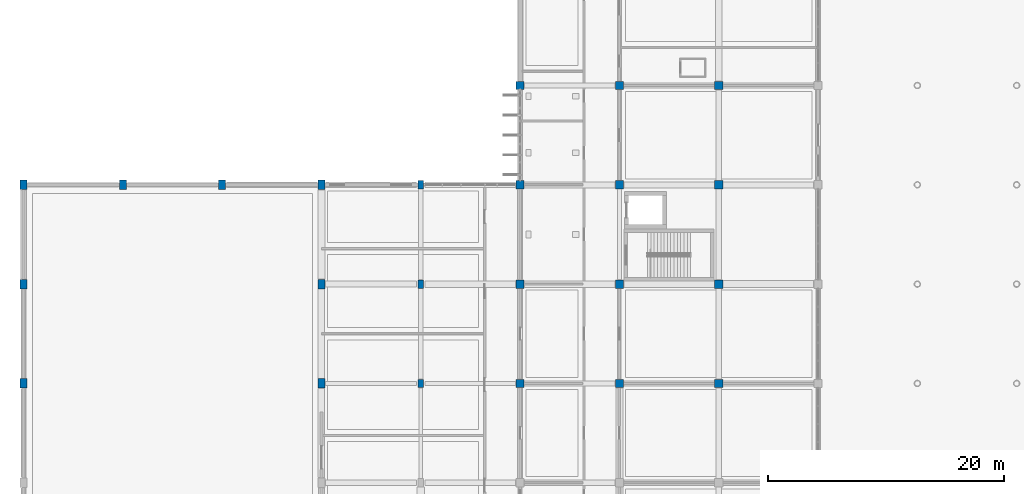
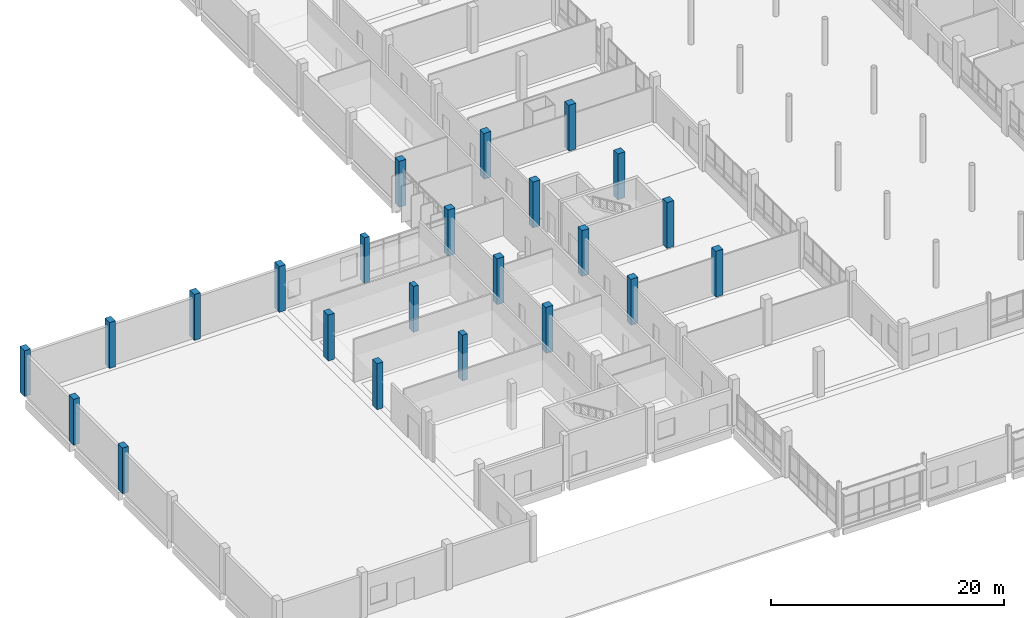
# One storey, part 3 of 95: 23 columns.
"""IFC4 building model written with IfcOpenShell, lengths in metres."""

from ifc_helpers import new_model, si_unit, direction, frame, origin, origin_2d, place, context, subcontext, project, spatial, rectangle, extrude, material, material_profile, profile_set, type_object, element, save


model = new_model("IFC4")

# Units and contexts
model_context = context("Model", 3, precision=1e-05, world=origin(), true_north=direction((0.0, 1.0)))
body_context = subcontext(model_context, "Body", "Model", "MODEL_VIEW")
ifc_project = project(units=[si_unit("LENGTHUNIT", "METRE"), si_unit("AREAUNIT", "SQUARE_METRE"), si_unit("VOLUMEUNIT", "CUBIC_METRE"), si_unit("PLANEANGLEUNIT", "RADIAN"), si_unit("MASSUNIT", "GRAM", prefix="KILO")], contexts=[model_context])

# Site, building, storey
site_placement = place(None, origin())
site = spatial("IfcSite", under=ifc_project, at=site_placement, CompositionType="ELEMENT")
building_placement = place(site_placement, origin())
building = spatial("IfcBuilding", under=site, at=building_placement, Name="Vireocrest Preparatory School", CompositionType="ELEMENT")
storey_placement = place(building_placement, origin())
storey = spatial("IfcBuildingStorey", under=building, at=storey_placement, Name="L00", CompositionType="ELEMENT", Elevation=0.0)

# Columns
ifc_material = material(Name="Concrete 45 MPa", Category="concrete")
ifc_material_profile_1 = material_profile(ifc_material, rectangle(XDim=0.699951171875, YDim=0.699951171875, at=origin_2d()), Name="RC 700x700")
ifc_profile_set_1 = profile_set([ifc_material_profile_1], Name="Concrete 45 MPa")
column_type_1 = type_object("IfcColumnType", Name="RC Column 700x700", PredefinedType="COLUMN", material=ifc_profile_set_1)
for number, where, z_axis, x_axis, name in (
    (1, (42.0, 35.39990234375, 0.0), (0.0, 0.0, 1.0), (1.0, 0.0, 0.0), "Column C07 L00 6/E"),
    (2, (42.0, 43.800048828125, 0.0), (0.0, 0.0, 1.0), (1.0, 0.0, 0.0), "Column C07 L00 6/F"),
    (3, (42.0, 52.199951171875, 0.0), (0.0, 0.0, 1.0), (1.0, 0.0, 0.0), "Column C07 L00 6/G"),
    (4, (42.0, 60.60009765625, 0.0), (0.0, 0.0, 1.0), (1.0, 0.0, 0.0), "Column C07 L00 6/H"),
    (5, (50.39990234375, 35.39990234375, 0.0), (0.0, 0.0, 1.0), (1.0, 0.0, 0.0), "Column C07 L00 7/E"),
    (6, (50.39990234375, 43.800048828125, 0.0), (0.0, 0.0, 1.0), (1.0, 0.0, 0.0), "Column C07 L00 7/F"),
    (7, (50.39990234375, 52.199951171875, 0.0), (0.0, 0.0, 1.0), (1.0, 0.0, 0.0), "Column C07 L00 7/G"),
    (8, (50.39990234375, 60.60009765625, 0.0), (0.0, 0.0, 1.0), (1.0, 0.0, 0.0), "Column C07 L00 7/H"),
    (9, (58.800048828125, 35.39990234375, 0.0), (0.0, 0.0, 1.0), (1.0, 0.0, 0.0), "Column C07 L00 8/E"),
    (10, (58.800048828125, 43.800048828125, 0.0), (0.0, 0.0, 1.0), (1.0, 0.0, 0.0), "Column C07 L00 8/F"),
    (11, (58.800048828125, 52.199951171875, 0.0), (0.0, 0.0, 1.0), (1.0, 0.0, 0.0), "Column C07 L00 8/G"),
    (12, (58.800048828125, 60.60009765625, 0.0), (0.0, 0.0, 1.0), (1.0, 0.0, 0.0), "Column C07 L00 8/H"),
):
    element("IfcColumn", number, at=place(storey_placement, frame(where, z_axis=z_axis, x_axis=x_axis)), inside=storey, type_object=column_type_1, Name=name, PredefinedType="COLUMN", context=body_context, shape_type="SweptSolid", body=[
        extrude(rectangle(XDim=0.699951171875, YDim=0.699951171875, at=origin_2d()), origin(), (0.0, 0.0, 1.0), 4.800048828125),
    ])
ifc_material_profile_2 = material_profile(ifc_material, rectangle(XDim=0.5, YDim=0.699951171875, at=origin_2d()), Name="RC 500x700")
ifc_profile_set_2 = profile_set([ifc_material_profile_2], Name="Concrete 45 MPa")
column_type_2 = type_object("IfcColumnType", Name="RC Hall Column 500x700", PredefinedType="COLUMN", material=ifc_profile_set_2)
for number, where, z_axis, x_axis, name in (
    (13, (33.60009765625, 35.39990234375, 0.0), (0.0, 0.0, 1.0), (1.0, 0.0, 0.0), "Column C12 L00 5/E"),
    (14, (33.60009765625, 43.800048828125, 0.0), (0.0, 0.0, 1.0), (1.0, 0.0, 0.0), "Column C12 L00 5/F"),
    (15, (33.60009765625, 52.199951171875, 0.0), (0.0, 0.0, 1.0), (1.0, 0.0, 0.0), "Column C12 L00 5/G"),
):
    element("IfcColumn", number, at=place(storey_placement, frame(where, z_axis=z_axis, x_axis=x_axis)), inside=storey, type_object=column_type_2, Name=name, PredefinedType="COLUMN", context=body_context, shape_type="SweptSolid", body=[
        extrude(rectangle(XDim=0.5, YDim=0.699951171875, at=origin_2d()), origin(), (0.0, 0.0, 1.0), 4.800048828125),
    ])
ifc_material_profile_3 = material_profile(ifc_material, rectangle(XDim=0.60009765625, YDim=0.800048828125, at=origin_2d()), Name="RC 600x800")
ifc_profile_set_3 = profile_set([ifc_material_profile_3], Name="Concrete 45 MPa")
column_type_3 = type_object("IfcColumnType", Name="RC Vault Pier 600x800", PredefinedType="COLUMN", material=ifc_profile_set_3)
for number, where, z_axis, x_axis, name in (
    (16, (0.0, 35.39990234375, 0.0), (0.0, 0.0, 1.0), (1.0, 0.0, 0.0), "Column C14 L00 1/E"),
    (17, (0.0, 43.800048828125, 0.0), (0.0, 0.0, 1.0), (1.0, 0.0, 0.0), "Column C14 L00 1/F"),
    (18, (0.0, 52.199951171875, 0.0), (0.0, 0.0, 1.0), (1.0, 0.0, 0.0), "Column C14 L00 1/G"),
    (19, (8.39990234375, 52.199951171875, 0.0), (0.0, 0.0, 1.0), (1.0, 0.0, 0.0), "Column C14 L00 2/G"),
    (20, (16.800048828125, 52.199951171875, 0.0), (0.0, 0.0, 1.0), (1.0, 0.0, 0.0), "Column C14 L00 3/G"),
    (21, (25.199951171875, 35.39990234375, 0.0), (0.0, 0.0, 1.0), (1.0, 0.0, 0.0), "Column C14 L00 4/E"),
    (22, (25.199951171875, 43.800048828125, 0.0), (0.0, 0.0, 1.0), (1.0, 0.0, 0.0), "Column C14 L00 4/F"),
    (23, (25.199951171875, 52.199951171875, 0.0), (0.0, 0.0, 1.0), (1.0, 0.0, 0.0), "Column C14 L00 4/G"),
):
    element("IfcColumn", number, at=place(storey_placement, frame(where, z_axis=z_axis, x_axis=x_axis)), inside=storey, type_object=column_type_3, Name=name, PredefinedType="COLUMN", context=body_context, shape_type="SweptSolid", body=[
        extrude(rectangle(XDim=0.60009765625, YDim=0.800048828125, at=origin_2d()), origin(), (0.0, 0.0, 1.0), 4.800048828125),
    ])

save(model, "model.ifc")
